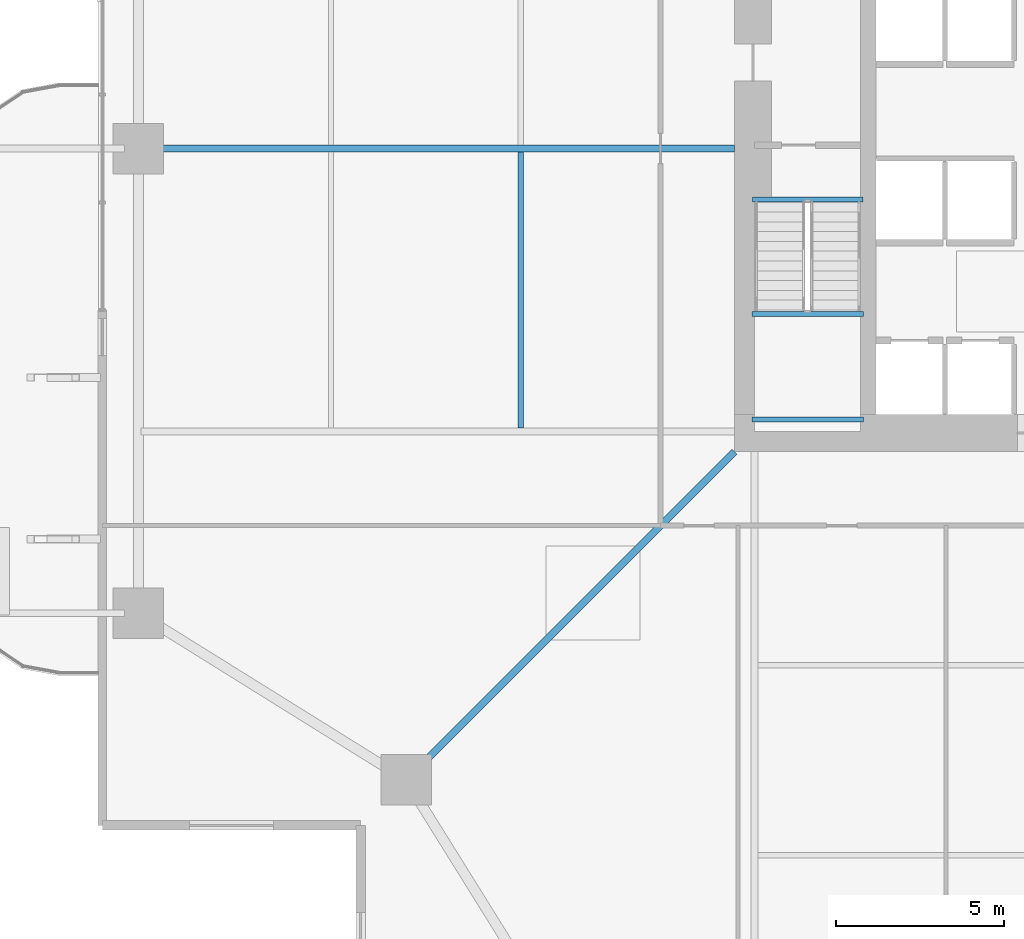
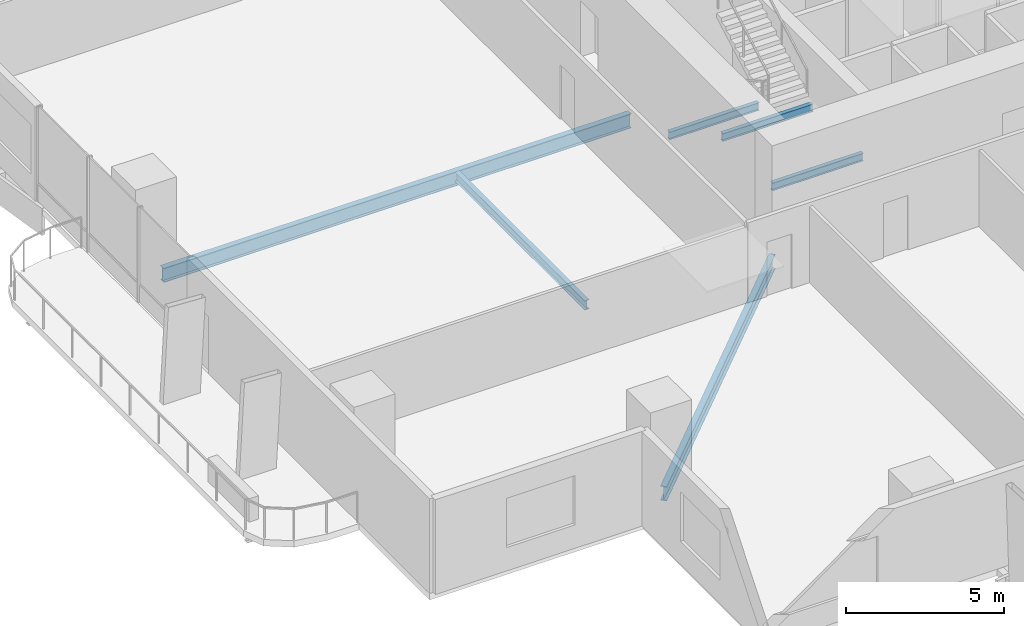
# One storey, part 5 of 24: 6 beams.
"""IFC4 building model written with IfcOpenShell, lengths in metres."""

from ifc_helpers import new_model, si_unit, direction, frame, origin, origin_2d, place, context, subcontext, project, spatial, i_section, extrude, material, material_profile, profile_set, type_object, element, save


model = new_model("IFC4")

# Units and contexts
model_context = context("Model", 3, precision=1e-05, world=origin(), true_north=direction((0.0, 1.0)))
body_context = subcontext(model_context, "Body", "Model", "MODEL_VIEW")
ifc_project = project(units=[si_unit("LENGTHUNIT", "METRE"), si_unit("AREAUNIT", "SQUARE_METRE"), si_unit("VOLUMEUNIT", "CUBIC_METRE"), si_unit("PLANEANGLEUNIT", "RADIAN"), si_unit("MASSUNIT", "GRAM", prefix="KILO")], contexts=[model_context])

# Site, building, storey
site_placement = place(None, origin())
site = spatial("IfcSite", under=ifc_project, at=site_placement, CompositionType="ELEMENT")
building_placement = place(site_placement, origin())
building = spatial("IfcBuilding", under=site, at=building_placement, Name="Belovzor Exchange Tower", CompositionType="ELEMENT")
storey_placement = place(building_placement, frame((0.0, 0.0, 69.0)))
storey = spatial("IfcBuildingStorey", under=building, at=storey_placement, Name="L16", CompositionType="ELEMENT", Elevation=69.0)

# Beams
ifc_material_1 = material(Name="Steel S355", Category="steel")
ifc_material_profile_1 = material_profile(ifc_material_1, i_section(OverallWidth=0.169921875, OverallDepth=0.360107421875, WebThickness=0.008056640625, FlangeThickness=0.0126953125, at=origin_2d()))
ifc_profile_set_1 = profile_set([ifc_material_profile_1], Name="Steel S355")
beam_type_1 = type_object("IfcBeamType", Name="Secondary Infill Floor Joist IPE 360", PredefinedType="BEAM", material=ifc_profile_set_1)
beam_1_placement = place(storey_placement, frame((13.455078125, 20.5048828125, -0.429931640625), z_axis=(0.0, 1.0, 0.0), x_axis=(-1.0, 0.0, 0.0)))
element("IfcBeam", 1, at=beam_1_placement, inside=storey, type_object=beam_type_1, Name="FJ-360 Secondary Infill Floor Joist IPE 360", PredefinedType="BEAM", context=body_context, shape_type="SweptSolid", body=[
    extrude(i_section(OverallWidth=0.169921875, OverallDepth=0.360107421875, WebThickness=0.008056640625, FlangeThickness=0.0126953125, at=origin_2d()), origin(), (0.0, 0.0, 1.0), 8.190185546875),
])
ifc_material_2 = material(Name="Steel S355", Category="steel")
ifc_material_profile_2 = material_profile(ifc_material_2, i_section(OverallWidth=0.14990234375, OverallDepth=0.300048828125, WebThickness=0.007080078125, FlangeThickness=0.0107421875, at=origin_2d()))
ifc_profile_set_2 = profile_set([ifc_material_profile_2], Name="Steel S355")
beam_type_2 = type_object("IfcBeamType", Name="Secondary Trim Floor Joist IPE 300", PredefinedType="BEAM", material=ifc_profile_set_2)
for number, where, z_axis, x_axis, name in (
    (2, (20.320068359375, 23.889892578125, 1.60009765625), (1.0, 0.0, 0.0), (0.0, 1.0, 0.0), "FJ-300 Secondary Trim Floor Joist IPE 300"),
    (3, (20.320068359375, 20.75, 1.60009765625), (1.0, 0.0, 0.0), (0.0, 1.0, 0.0), "FJ-300 Secondary Trim Floor Joist IPE 300"),
):
    element("IfcBeam", number, at=place(storey_placement, frame(where, z_axis=z_axis, x_axis=x_axis)), inside=storey, type_object=beam_type_2, Name=name, PredefinedType="BEAM", context=body_context, shape_type="SweptSolid", body=[
        extrude(i_section(OverallWidth=0.14990234375, OverallDepth=0.300048828125, WebThickness=0.007080078125, FlangeThickness=0.0107421875, at=origin_2d()), origin(), (0.0, 0.0, 1.0), 3.309814453125),
    ])
beam_2_placement = place(storey_placement, frame((20.340087890625, 27.280029296875, -0.39990234375), z_axis=(1.0, 0.0, 0.0), x_axis=(0.0, 1.0, 0.0)))
element("IfcBeam", 4, at=beam_2_placement, inside=storey, type_object=beam_type_2, Name="FJ-300 Secondary Trim Floor Joist IPE 300", PredefinedType="BEAM", context=body_context, shape_type="SweptSolid", body=[
    extrude(i_section(OverallWidth=0.14990234375, OverallDepth=0.300048828125, WebThickness=0.007080078125, FlangeThickness=0.0107421875, at=origin_2d()), origin(), (0.0, 0.0, 1.0), 3.27001953125),
])
ifc_material_3 = material(Name="Steel S355", Category="steel")
ifc_material_profile_3 = material_profile(ifc_material_3, i_section(OverallWidth=0.2099609375, OverallDepth=0.550048828125, WebThickness=0.010986328125, FlangeThickness=0.01708984375, at=origin_2d()))
ifc_profile_set_3 = profile_set([ifc_material_profile_3], Name="Steel S355")
beam_type_3 = type_object("IfcBeamType", Name="Zone 1 Radial Composite Floor Beam IPE 550", PredefinedType="BEAM", material=ifc_profile_set_3)
beam_3_placement = place(storey_placement, frame((19.800048828125, 28.800048828125, -0.52490234375), z_axis=(-1.0, 0.0, 0.0), x_axis=(0.0, -1.0, 0.0)))
element("IfcBeam", 5, at=beam_3_placement, inside=storey, type_object=beam_type_3, Name="FB-550 Zone 1 Radial Composite Floor Beam IPE 550", PredefinedType="BEAM", context=body_context, shape_type="SweptSolid", body=[
    extrude(i_section(OverallWidth=0.2099609375, OverallDepth=0.550048828125, WebThickness=0.010986328125, FlangeThickness=0.01708984375, at=origin_2d()), origin(), (0.0, 0.0, 1.0), 17.0400390625),
])
beam_4_placement = place(storey_placement, frame((19.800048828125, 19.800048828125, -0.52490234375), z_axis=(-0.707106781187, -0.707106781187, 0.0), x_axis=(0.707106781187, -0.707106781187, 0.0)))
element("IfcBeam", 6, at=beam_4_placement, inside=storey, type_object=beam_type_3, Name="FB-550 Zone 1 Radial Composite Floor Beam IPE 550", PredefinedType="BEAM", context=body_context, shape_type="SweptSolid", body=[
    extrude(i_section(OverallWidth=0.2099609375, OverallDepth=0.550048828125, WebThickness=0.010986328125, FlangeThickness=0.01708984375, at=origin_2d()), origin(), (0.0, 0.0, 1.0), 13.25830078125),
])

save(model, "model.ifc")
